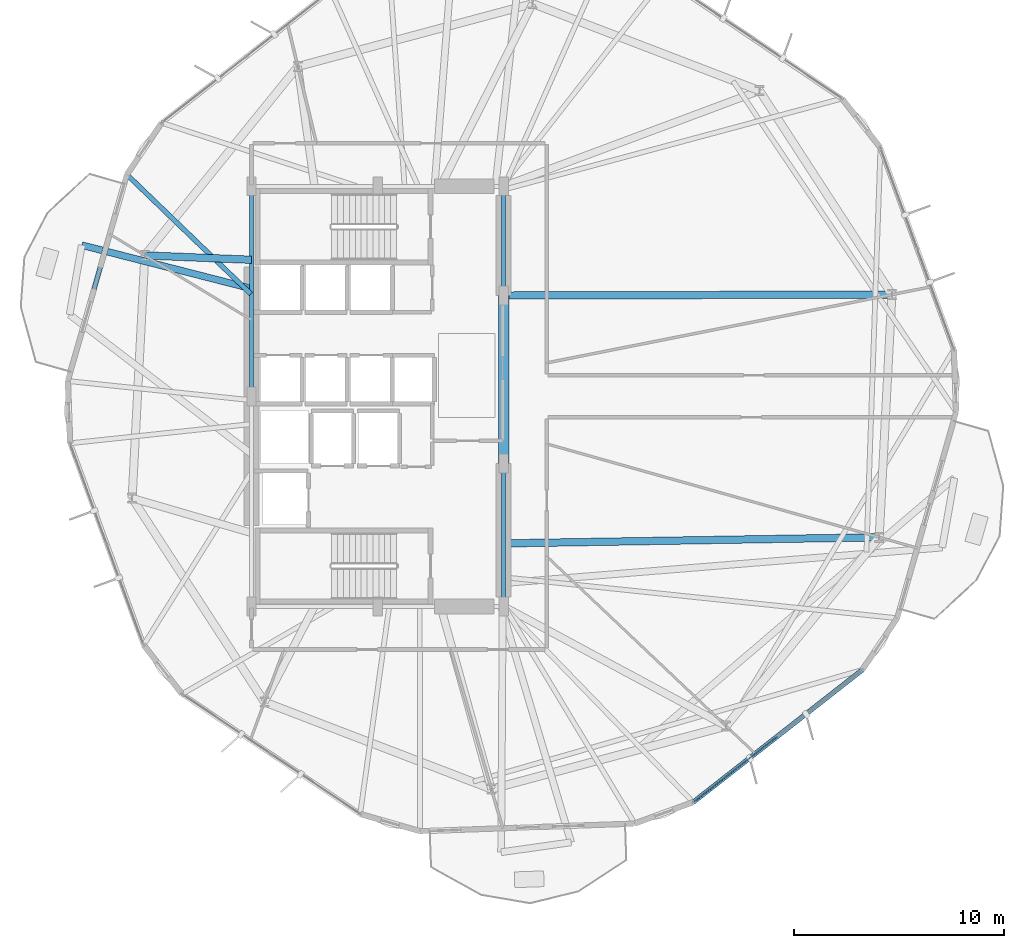
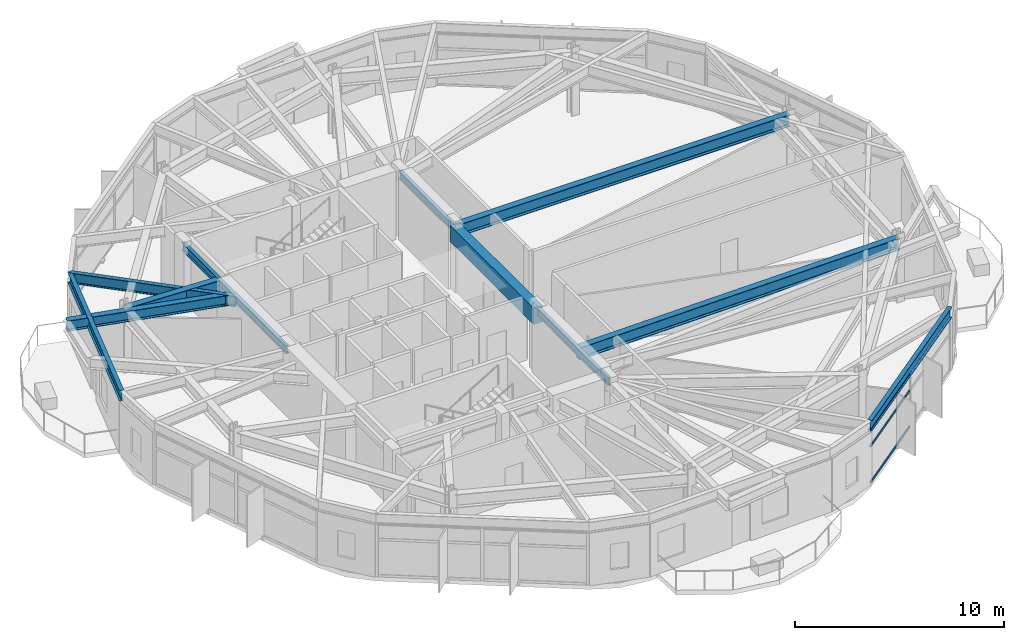
# One storey, part 8 of 21: 11 beams, 3 members, 1 element without a shape of its own.
"""IFC4 building model written with IfcOpenShell, lengths in metres."""

from ifc_helpers import new_model, si_unit, direction, frame, origin, origin_2d, place, context, subcontext, project, spatial, rectangle, hollow_rectangle, i_section, extrude, material, layer, layer_set, material_profile, profile_set, type_object, element, aggregate, save


model = new_model("IFC4")

# Units and contexts
model_context = context("Model", 3, precision=1e-05, world=origin(), true_north=direction((0.0, 1.0)))
body_context = subcontext(model_context, "Body", "Model", "MODEL_VIEW")
ifc_project = project(units=[si_unit("LENGTHUNIT", "METRE"), si_unit("AREAUNIT", "SQUARE_METRE"), si_unit("VOLUMEUNIT", "CUBIC_METRE"), si_unit("PLANEANGLEUNIT", "RADIAN"), si_unit("MASSUNIT", "GRAM", prefix="KILO")], contexts=[model_context])

# Site, building, storey
site_placement = place(None, origin())
site = spatial("IfcSite", under=ifc_project, at=site_placement, CompositionType="ELEMENT")
building_placement = place(site_placement, origin())
building = spatial("IfcBuilding", under=site, at=building_placement, Name="Soratama Intermodal Tower", CompositionType="ELEMENT")
storey_placement = place(building_placement, frame((0.0, 0.0, 34.60009765625)))
storey = spatial("IfcBuildingStorey", under=building, at=storey_placement, Name="L07", CompositionType="ELEMENT", Elevation=34.60009765625)

# Beams
ifc_material_1 = material(Name="Structural steel ASTM A992 Grade 50", Category="steel")
ifc_material_profile_1 = material_profile(ifc_material_1, i_section(OverallWidth=0.324951171875, OverallDepth=0.615966796875, WebThickness=0.013916015625, FlangeThickness=0.021484375, FilletRadius=0.013916015625, at=origin_2d()), Name="W24X117")
ifc_profile_set_1 = profile_set([ifc_material_profile_1], Name="Structural steel ASTM A992 Grade 50")
beam_type_1 = type_object("IfcBeamType", Name="BM-CANT-W24X117", PredefinedType="BEAM", material=ifc_profile_set_1)
beam_1_placement = place(storey_placement, frame((32.56103515625, 30.137939453125, 3.391845703125), z_axis=(-0.968728081218, 0.248124776391, 0.0), x_axis=(-0.248124776391, -0.968728081218, 0.0)))
element("IfcBeam", 1, at=beam_1_placement, inside=storey, type_object=beam_type_1, Name="BM-L07-CANT-3-1", PredefinedType="BEAM", context=body_context, shape_type="SweptSolid", body=[
    extrude(i_section(OverallWidth=0.324951171875, OverallDepth=0.615966796875, WebThickness=0.013916015625, FlangeThickness=0.021484375, FilletRadius=0.013916015625, at=origin_2d()), origin(), (0.0, 0.0, 1.0), 8.298583984375),
])
ifc_material_2 = material(Name="Concrete f'c 56 MPa", Category="concrete")
ifc_material_profile_2 = material_profile(ifc_material_2, rectangle(XDim=0.5, YDim=0.949951171875, at=origin_2d()), Name="RC500X950")
ifc_profile_set_2 = profile_set([ifc_material_profile_2], Name="Concrete f'c 56 MPa")
beam_type_2 = type_object("IfcBeamType", Name="BM-CPL-RC500X950", PredefinedType="BEAM", material=ifc_profile_set_2)
beam_2_placement = place(storey_placement, frame((44.60009765625, 21.800048828125, 3.224853515625), z_axis=(0.0, 1.0, 0.0), x_axis=(-1.0, 0.0, 0.0)))
element("IfcBeam", 2, at=beam_2_placement, inside=storey, type_object=beam_type_2, Name="L07 Core Coupling Beam East", PredefinedType="BEAM", context=body_context, shape_type="SweptSolid", body=[
    extrude(rectangle(XDim=0.5, YDim=0.949951171875, at=origin_2d()), origin(), (0.0, 0.0, 1.0), 8.0),
])
ifc_material_3 = material(Name="Structural steel ASTM A992 Grade 50", Category="steel")
ifc_material_profile_3 = material_profile(ifc_material_3, i_section(OverallWidth=0.19091796875, OverallDepth=0.4599609375, WebThickness=0.010009765625, FlangeThickness=0.01611328125, FilletRadius=0.010986328125, at=origin_2d()), Name="W18X55")
ifc_profile_set_3 = profile_set([ifc_material_profile_3], Name="Structural steel ASTM A992 Grade 50")
beam_type_3 = type_object("IfcBeamType", Name="BM-FLR-W18X55", PredefinedType="BEAM", material=ifc_profile_set_3)
beam_3_placement = place(storey_placement, frame((44.60009765625, 15.0, 3.469970703125), z_axis=(0.0, 1.0, 0.0), x_axis=(-1.0, 0.0, 0.0)))
element("IfcBeam", 3, at=beam_3_placement, inside=storey, type_object=beam_type_3, Name="BM-L07-CRING-03", PredefinedType="BEAM", context=body_context, shape_type="SweptSolid", body=[
    extrude(i_section(OverallWidth=0.19091796875, OverallDepth=0.4599609375, WebThickness=0.010009765625, FlangeThickness=0.01611328125, FilletRadius=0.010986328125, at=origin_2d()), origin(), (0.0, 0.0, 1.0), 6.800048828125),
])
beam_4_placement = place(storey_placement, frame((44.60009765625, 29.800048828125, 3.469970703125), z_axis=(0.0, 1.0, 0.0), x_axis=(-1.0, 0.0, 0.0)))
element("IfcBeam", 4, at=beam_4_placement, inside=storey, type_object=beam_type_3, Name="BM-L07-CRING-05", PredefinedType="BEAM", context=body_context, shape_type="SweptSolid", body=[
    extrude(i_section(OverallWidth=0.19091796875, OverallDepth=0.4599609375, WebThickness=0.010009765625, FlangeThickness=0.01611328125, FilletRadius=0.010986328125, at=origin_2d()), origin(), (0.0, 0.0, 1.0), 5.199951171875),
])
beam_5_placement = place(storey_placement, frame((32.60009765625, 35.0, 3.469970703125), z_axis=(0.0, -1.0, 0.0), x_axis=(1.0, 0.0, 0.0)))
element("IfcBeam", 5, at=beam_5_placement, inside=storey, type_object=beam_type_3, Name="BM-L07-CRING-08", PredefinedType="BEAM", context=body_context, shape_type="SweptSolid", body=[
    extrude(i_section(OverallWidth=0.19091796875, OverallDepth=0.4599609375, WebThickness=0.010009765625, FlangeThickness=0.01611328125, FilletRadius=0.010986328125, at=origin_2d()), origin(), (0.0, 0.0, 1.0), 10.0),
])
ifc_material_4 = material(Name="Structural steel ASTM A992 Grade 50", Category="steel")
ifc_material_profile_4 = material_profile(ifc_material_4, i_section(OverallWidth=0.35498046875, OverallDepth=0.695068359375, WebThickness=0.015380859375, FlangeThickness=0.02490234375, FilletRadius=0.01611328125, at=origin_2d()), Name="W27X146")
ifc_profile_set_4 = profile_set([ifc_material_profile_4], Name="Structural steel ASTM A992 Grade 50")
beam_type_4 = type_object("IfcBeamType", Name="BM-RING-W27X146", PredefinedType="BEAM", material=ifc_profile_set_4)
beam_6_placement = place(storey_placement, frame((44.60009765625, 29.800048828125, 3.352294921875), z_axis=(0.999997046146, 0.002430575896, 0.0), x_axis=(-0.002430575896, 0.999997046146, 0.0)))
element("IfcBeam", 6, at=beam_6_placement, inside=storey, type_object=beam_type_4, Name="BM-L07-RAD-01", PredefinedType="BEAM", context=body_context, shape_type="SweptSolid", body=[
    extrude(i_section(OverallWidth=0.35498046875, OverallDepth=0.695068359375, WebThickness=0.015380859375, FlangeThickness=0.02490234375, FilletRadius=0.01611328125, at=origin_2d()), origin(), (0.0, 0.0, 1.0), 18.48193359375),
])
beam_7_placement = place(storey_placement, frame((32.60009765625, 31.5, 3.352294921875), z_axis=(-0.999153929645, 0.041126936131, 0.0), x_axis=(-0.041126936131, -0.999153929645, 0.0)))
element("IfcBeam", 7, at=beam_7_placement, inside=storey, type_object=beam_type_4, Name="BM-L07-RAD-05", PredefinedType="BEAM", context=body_context, shape_type="SweptSolid", body=[
    extrude(i_section(OverallWidth=0.35498046875, OverallDepth=0.695068359375, WebThickness=0.015380859375, FlangeThickness=0.02490234375, FilletRadius=0.01611328125, at=origin_2d()), origin(), (0.0, 0.0, 1.0), 5.08154296875),
])
beam_8_placement = place(storey_placement, frame((44.60009765625, 18.0, 3.352294921875), z_axis=(0.999867526408, 0.016276659176, 0.0), x_axis=(-0.016276659176, 0.999867526408, 0.0)))
element("IfcBeam", 8, at=beam_8_placement, inside=storey, type_object=beam_type_4, Name="BM-L07-RAD-10", PredefinedType="BEAM", context=body_context, shape_type="SweptSolid", body=[
    extrude(i_section(OverallWidth=0.35498046875, OverallDepth=0.695068359375, WebThickness=0.015380859375, FlangeThickness=0.02490234375, FilletRadius=0.01611328125, at=origin_2d()), origin(), (0.0, 0.0, 1.0), 17.87939453125),
])
ifc_material_5 = material(Name="Structural steel ASTM A992 Grade 50", Category="steel")
ifc_material_profile_5 = material_profile(ifc_material_5, i_section(OverallWidth=0.22900390625, OverallDepth=0.612060546875, WebThickness=0.011962890625, FlangeThickness=0.01953125, FilletRadius=0.012939453125, at=origin_2d()), Name="W24X84")
ifc_profile_set_5 = profile_set([ifc_material_profile_5], Name="Structural steel ASTM A992 Grade 50")
beam_type_5 = type_object("IfcBeamType", Name="BM-SPN-W24X84", PredefinedType="SPANDREL", material=ifc_profile_set_5)
for number, where, z_axis, x_axis, name in (
    (9, (26.6650390625, 35.56005859375, 3.393798828125), (-0.274967139431, -0.961453624588, 0.0), (0.961453624588, -0.274967139431, 0.0), "BS-L07-F05"),
    (10, (53.6259765625, 5.679931640625, 3.393798828125), (0.787623412216, 0.616156928492, 0.0), (-0.616156928492, 0.787623412216, 0.0), "BS-L07-F09"),
):
    element("IfcBeam", number, at=place(storey_placement, frame(where, z_axis=z_axis, x_axis=x_axis)), inside=storey, type_object=beam_type_5, Name=name, PredefinedType="SPANDREL", context=body_context, shape_type="SweptSolid", body=[
        extrude(i_section(OverallWidth=0.22900390625, OverallDepth=0.612060546875, WebThickness=0.011962890625, FlangeThickness=0.01953125, FilletRadius=0.012939453125, at=origin_2d()), origin(), (0.0, 0.0, 1.0), 10.22314453125),
    ])
ifc_material_6 = material(Name="Structural steel ASTM A992 Grade 50", Category="steel")
ifc_material_profile_6 = material_profile(ifc_material_6, i_section(OverallWidth=0.22900390625, OverallDepth=0.612060546875, WebThickness=0.011962890625, FlangeThickness=0.01953125, FilletRadius=0.012939453125, at=origin_2d()), Name="W24X84")
ifc_profile_set_6 = profile_set([ifc_material_profile_6], Name="Structural steel ASTM A992 Grade 50")
beam_type_6 = type_object("IfcBeamType", Name="BM-TIE-W24X84", PredefinedType="BEAM", material=ifc_profile_set_6)
beam_9_placement = place(storey_placement, frame((32.571044921875, 29.868896484375, 3.393798828125), z_axis=(-0.72008275918, 0.693888189791, 0.0), x_axis=(-0.693888189791, -0.72008275918, 0.0)))
element("IfcBeam", 11, at=beam_9_placement, inside=storey, type_object=beam_type_6, Name="BM-L07-TIE0-05", PredefinedType="BEAM", context=body_context, shape_type="SweptSolid", body=[
    extrude(i_section(OverallWidth=0.22900390625, OverallDepth=0.612060546875, WebThickness=0.011962890625, FlangeThickness=0.01953125, FilletRadius=0.012939453125, at=origin_2d()), origin(), (0.0, 0.0, 1.0), 8.201904296875),
])

# Curtain wall, members
ifc_material_7 = material(Name="Double-glazed aluminium curtain wall", Category="aluminium")
ifc_layer = layer(ifc_material_7, 0.159912109375)
ifc_layer_set = layer_set([ifc_layer], Name="Double-glazed aluminium curtain wall")
curtain_wall_type = type_object("IfcCurtainWallType", Name="CW-SYS-2", PredefinedType="NOTDEFINED", material=ifc_layer_set)
curtain_wall_placement = place(storey_placement, origin())
curtain_wall = element("IfcCurtainWall", 12, at=curtain_wall_placement, inside=storey, type_object=curtain_wall_type, Name="L07 Faceted Curtain Wall F09", PredefinedType="NOTDEFINED")
ifc_material_8 = material(Name="Anodised aluminium AA 6063-T6", Category="aluminium")
ifc_material_profile_7 = material_profile(ifc_material_8, hollow_rectangle(XDim=0.06494140625, YDim=0.14990234375, WallThickness=0.0048828125, InnerFilletRadius=0.0048828125, OuterFilletRadius=0.010009765625, at=origin_2d()), Name="CWT150X65X5")
ifc_profile_set_7 = profile_set([ifc_material_profile_7], Name="Anodised aluminium AA 6063-T6")
member_type = type_object("IfcMemberType", Name="TT-CWT-1", PredefinedType="USERDEFINED", material=ifc_profile_set_7)
member_1_placement = place(storey_placement, frame((53.67333984375, 5.716796875, 0.02978515625), z_axis=(0.787563475891, 0.616233536448, 0.0), x_axis=(-0.616233536448, 0.787563475891, 0.0)))
member_1 = element("IfcMember", 13, at=member_1_placement, type_object=member_type, Name="CW-2 transom 1.1", ObjectType="TRANSOM", PredefinedType="USERDEFINED", context=body_context, shape_type="SweptSolid", body=[
    extrude(hollow_rectangle(XDim=0.06494140625, YDim=0.14990234375, WallThickness=0.0048828125, InnerFilletRadius=0.0048828125, OuterFilletRadius=0.010009765625, at=origin_2d()), origin(), (0.0, 0.0, 1.0), 5.021728515625),
])
member_2_placement = place(storey_placement, frame((53.67333984375, 5.716796875, 2.14990234375), z_axis=(0.787563475891, 0.616233536448, 0.0), x_axis=(-0.616233536448, 0.787563475891, 0.0)))
member_2 = element("IfcMember", 14, at=member_2_placement, type_object=member_type, Name="CW-2 transom 1.2", ObjectType="TRANSOM", PredefinedType="USERDEFINED", context=body_context, shape_type="SweptSolid", body=[
    extrude(hollow_rectangle(XDim=0.06494140625, YDim=0.14990234375, WallThickness=0.0048828125, InnerFilletRadius=0.0048828125, OuterFilletRadius=0.010009765625, at=origin_2d()), origin(), (0.0, 0.0, 1.0), 5.021728515625),
])
member_3_placement = place(storey_placement, frame((53.67333984375, 5.716796875, 3.048828125), z_axis=(0.787563475891, 0.616233536448, 0.0), x_axis=(-0.616233536448, 0.787563475891, 0.0)))
member_3 = element("IfcMember", 15, at=member_3_placement, type_object=member_type, Name="CW-2 transom 1.3", ObjectType="TRANSOM", PredefinedType="USERDEFINED", context=body_context, shape_type="SweptSolid", body=[
    extrude(hollow_rectangle(XDim=0.06494140625, YDim=0.14990234375, WallThickness=0.0048828125, InnerFilletRadius=0.0048828125, OuterFilletRadius=0.010009765625, at=origin_2d()), origin(), (0.0, 0.0, 1.0), 5.021728515625),
])
aggregate(curtain_wall, [member_1, member_2, member_3])

save(model, "model.ifc")
